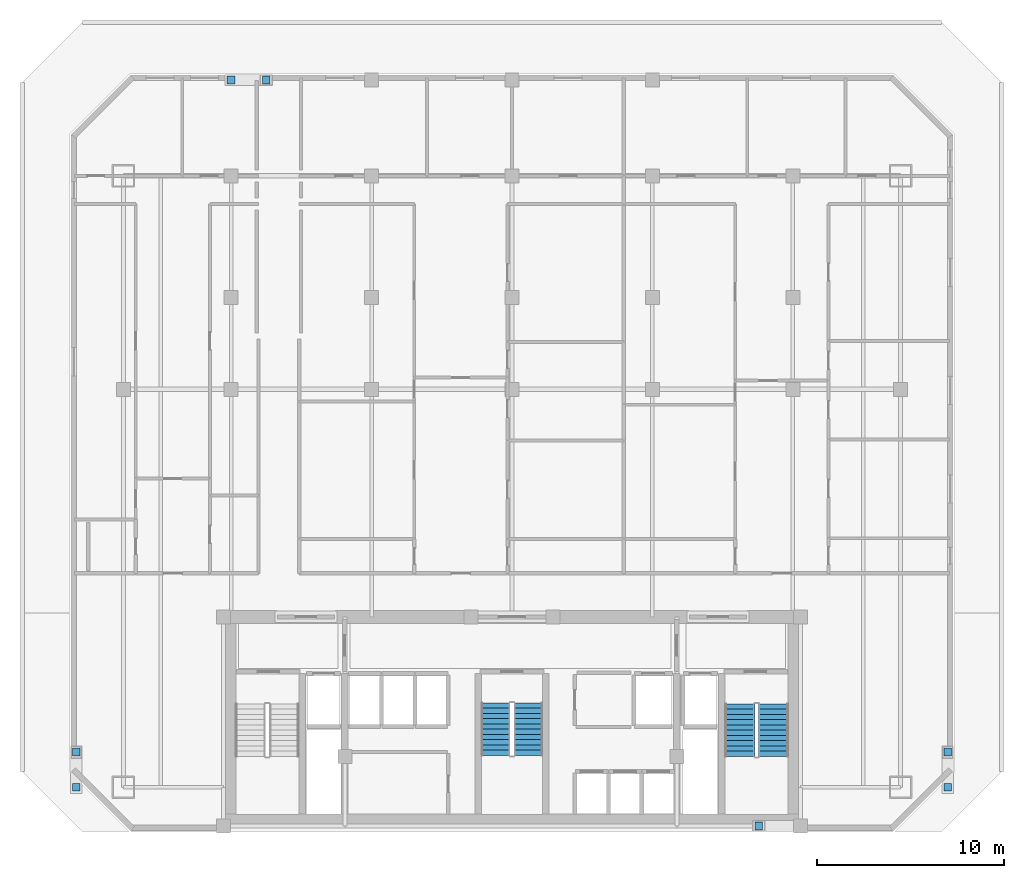
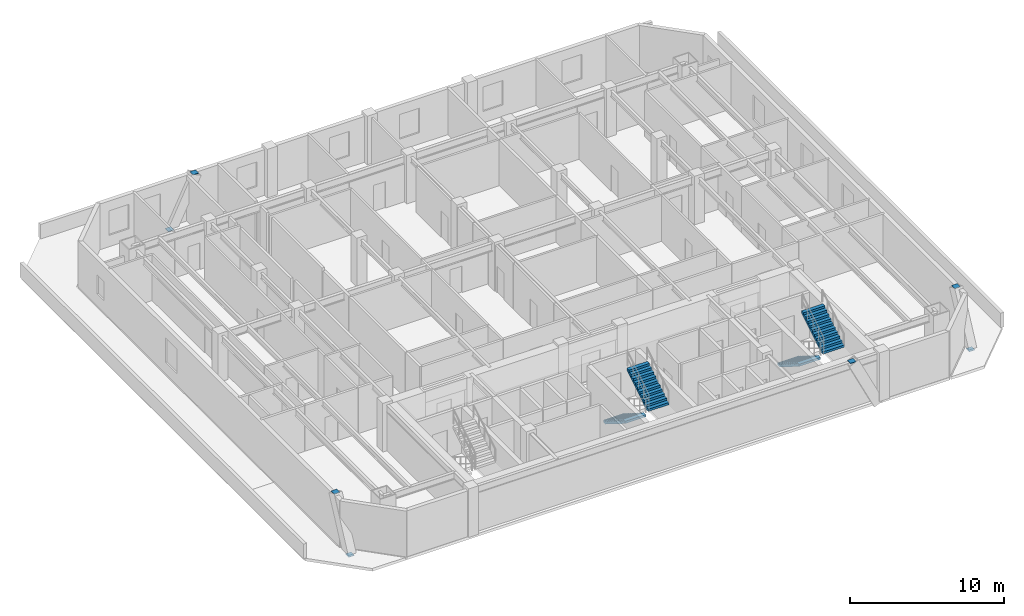
# One storey, part 7 of 8: 7 discrete accessories, 4 stair flights, 2 elements without a shape of their own.
"""IFC4 building model written with IfcOpenShell, lengths in metres."""

from ifc_helpers import new_model, si_unit, direction, frame, origin, origin_2d, place, context, subcontext, project, spatial, polyline, rectangle, outline, extrude, material, type_object, element, aggregate, save


model = new_model("IFC4")

# Units and contexts
model_context = context("Model", 3, precision=1e-05, world=origin(), true_north=direction((0.0, 1.0)))
body_context = subcontext(model_context, "Body", "Model", "MODEL_VIEW")
ifc_project = project(units=[si_unit("LENGTHUNIT", "METRE"), si_unit("AREAUNIT", "SQUARE_METRE"), si_unit("VOLUMEUNIT", "CUBIC_METRE"), si_unit("PLANEANGLEUNIT", "RADIAN"), si_unit("MASSUNIT", "GRAM", prefix="KILO")], contexts=[model_context])

# Site, building, storey
site_placement = place(None, origin())
site = spatial("IfcSite", under=ifc_project, at=site_placement, CompositionType="ELEMENT")
building_placement = place(site_placement, origin())
building = spatial("IfcBuilding", under=site, at=building_placement, Name="Ventersveld Concourse Tower", CompositionType="ELEMENT")
storey_placement = place(building_placement, frame((0.0, 0.0, 156.75)))
storey = spatial("IfcBuildingStorey", under=building, at=storey_placement, Name="L38", CompositionType="ELEMENT", Elevation=156.75)

# Stair, stair flights
ifc_material_1 = material(Name="Concrete C50/60", Category="concrete")
stair_type_1 = type_object("IfcStairType", Name="ST-DOG-155", PredefinedType="HALF_TURN_STAIR", material=ifc_material_1)
stair_1_placement = place(storey_placement, origin())
stair_1 = element("IfcStair", 1, at=stair_1_placement, inside=storey, type_object=stair_type_1, Name="L38 Protected Central Core Escape Stair ST-03", PredefinedType="HALF_TURN_STAIR")
stair_flight_type_1 = type_object("IfcStairFlightType", Name="STF-RC-155", PredefinedType="STRAIGHT", material=ifc_material_1)
stair_flight_1_placement = place(storey_placement, frame((27.875, 6.85009765625, 0.0), z_axis=(0.0, 0.0, 1.0), x_axis=(0.0, -1.0, 0.0)))
stair_flight_1 = element("IfcStairFlight", 2, at=stair_flight_1_placement, type_object=stair_flight_type_1, Name="ST-03 flight 1", NumberOfRisers=11, NumberOfTreads=10, PredefinedType="STRAIGHT", RiserHeight=0.175, TreadLength=0.28, context=body_context, shape_type="SweptSolid", body=[
    extrude(outline(polyline([(0.0, 0.0), (0.0, 0.175048828125), (0.280029296875, 0.175048828125), (0.280029296875, 0.35009765625), (0.56005859375, 0.35009765625), (0.56005859375, 0.52490234375), (0.840087890625, 0.52490234375), (0.840087890625, 0.699951171875), (1.1201171875, 0.699951171875), (1.1201171875, 0.875), (1.39990234375, 0.875), (1.39990234375, 1.050048828125), (1.679931640625, 1.050048828125), (1.679931640625, 1.22509765625), (1.9599609375, 1.22509765625), (1.9599609375, 1.39990234375), (2.239990234375, 1.39990234375), (2.239990234375, 1.574951171875), (2.52001953125, 1.574951171875), (2.52001953125, 1.75), (2.800048828125, 1.75), (2.800048828125, 1.925048828125), (2.800048828125, 1.5732421875), (0.28271484375, 0.0), (0.0, 0.0)])), frame((0.0, 0.77490234375, 0.0), z_axis=(0.0, -1.0, 0.0), x_axis=(1.0, 0.0, 0.0)), (0.0, 0.0, 1.0), 1.550048828125),
])
stair_flight_2_placement = place(storey_placement, frame((29.625, 4.050048828125, 1.925048828125), z_axis=(0.0, 0.0, 1.0), x_axis=(0.0, 1.0, 0.0)))
stair_flight_2 = element("IfcStairFlight", 3, at=stair_flight_2_placement, type_object=stair_flight_type_1, Name="ST-03 flight 2", NumberOfRisers=11, NumberOfTreads=10, PredefinedType="STRAIGHT", RiserHeight=0.175, TreadLength=0.28, context=body_context, shape_type="SweptSolid", body=[
    extrude(outline(polyline([(0.0, 0.0), (0.0, 0.175048828125), (0.280029296875, 0.175048828125), (0.280029296875, 0.35009765625), (0.56005859375, 0.35009765625), (0.56005859375, 0.52490234375), (0.840087890625, 0.52490234375), (0.840087890625, 0.699951171875), (1.1201171875, 0.699951171875), (1.1201171875, 0.875), (1.39990234375, 0.875), (1.39990234375, 1.050048828125), (1.679931640625, 1.050048828125), (1.679931640625, 1.22509765625), (1.9599609375, 1.22509765625), (1.9599609375, 1.39990234375), (2.239990234375, 1.39990234375), (2.239990234375, 1.574951171875), (2.52001953125, 1.574951171875), (2.52001953125, 1.75), (2.800048828125, 1.75), (2.800048828125, 1.925048828125), (2.800048828125, 1.5732421875), (0.28271484375, 0.0), (0.0, 0.0)])), frame((0.0, 0.77490234375, 0.0), z_axis=(0.0, -1.0, 0.0), x_axis=(1.0, 0.0, 0.0)), (0.0, 0.0, 1.0), 1.550048828125),
])
aggregate(stair_1, [stair_flight_1, stair_flight_2])

stair_type_2 = type_object("IfcStairType", Name="ST-DOG-160", PredefinedType="HALF_TURN_STAIR", material=ifc_material_1)
stair_2_placement = place(storey_placement, origin())
stair_2 = element("IfcStair", 4, at=stair_2_placement, inside=storey, type_object=stair_type_2, Name="L38 Protected Tower Escape Stair ST-02", PredefinedType="HALF_TURN_STAIR")
stair_flight_type_2 = type_object("IfcStairFlightType", Name="STF-RC-160", PredefinedType="STRAIGHT", material=ifc_material_1)
stair_flight_3_placement = place(storey_placement, frame((40.919921875, 6.800048828125, 0.0), z_axis=(0.0, 0.0, 1.0), x_axis=(0.0, -1.0, 0.0)))
stair_flight_3 = element("IfcStairFlight", 5, at=stair_flight_3_placement, type_object=stair_flight_type_2, Name="ST-02 flight 1", NumberOfRisers=11, NumberOfTreads=10, PredefinedType="STRAIGHT", RiserHeight=0.175, TreadLength=0.28, context=body_context, shape_type="SweptSolid", body=[
    extrude(outline(polyline([(0.0, 0.0), (0.0, 0.175048828125), (0.280029296875, 0.175048828125), (0.280029296875, 0.35009765625), (0.56005859375, 0.35009765625), (0.56005859375, 0.52490234375), (0.840087890625, 0.52490234375), (0.840087890625, 0.699951171875), (1.1201171875, 0.699951171875), (1.1201171875, 0.875), (1.39990234375, 0.875), (1.39990234375, 1.050048828125), (1.679931640625, 1.050048828125), (1.679931640625, 1.22509765625), (1.9599609375, 1.22509765625), (1.9599609375, 1.39990234375), (2.239990234375, 1.39990234375), (2.239990234375, 1.574951171875), (2.52001953125, 1.574951171875), (2.52001953125, 1.75), (2.800048828125, 1.75), (2.800048828125, 1.925048828125), (2.800048828125, 1.5732421875), (0.28271484375, 0.0), (0.0, 0.0)])), frame((0.0, 0.800048828125, 0.0), z_axis=(0.0, -1.0, 0.0), x_axis=(1.0, 0.0, 0.0)), (0.0, 0.0, 1.0), 1.60009765625),
])
stair_flight_4_placement = place(storey_placement, frame((42.719970703125, 4.0, 1.925048828125), z_axis=(0.0, 0.0, 1.0), x_axis=(0.0, 1.0, 0.0)))
stair_flight_4 = element("IfcStairFlight", 6, at=stair_flight_4_placement, type_object=stair_flight_type_2, Name="ST-02 flight 2", NumberOfRisers=11, NumberOfTreads=10, PredefinedType="STRAIGHT", RiserHeight=0.175, TreadLength=0.28, context=body_context, shape_type="SweptSolid", body=[
    extrude(outline(polyline([(0.0, 0.0), (0.0, 0.175048828125), (0.280029296875, 0.175048828125), (0.280029296875, 0.35009765625), (0.56005859375, 0.35009765625), (0.56005859375, 0.52490234375), (0.840087890625, 0.52490234375), (0.840087890625, 0.699951171875), (1.1201171875, 0.699951171875), (1.1201171875, 0.875), (1.39990234375, 0.875), (1.39990234375, 1.050048828125), (1.679931640625, 1.050048828125), (1.679931640625, 1.22509765625), (1.9599609375, 1.22509765625), (1.9599609375, 1.39990234375), (2.239990234375, 1.39990234375), (2.239990234375, 1.574951171875), (2.52001953125, 1.574951171875), (2.52001953125, 1.75), (2.800048828125, 1.75), (2.800048828125, 1.925048828125), (2.800048828125, 1.5732421875), (0.28271484375, 0.0), (0.0, 0.0)])), frame((0.0, 0.800048828125, 0.0), z_axis=(0.0, -1.0, 0.0), x_axis=(1.0, 0.0, 0.0)), (0.0, 0.0, 1.0), 1.60009765625),
])
aggregate(stair_2, [stair_flight_3, stair_flight_4])

# Discrete accessories
ifc_material_2 = material(Name="Structural steel S355J2", Category="steel")
discrete_accessory_type = type_object("IfcDiscreteAccessoryType", Name="CONN-BRACE-ECP1", PredefinedType="BRACKET", material=ifc_material_2)
for number, where, z_axis, x_axis, name in (
    (7, (13.75, 40.1201171875, -0.239990234375), (0.0, 0.0, 1.0), (1.0, 0.0, 0.0), "L38 Steel Brace End Connection Plate ECP1-0332"),
    (8, (15.625, 40.1201171875, 3.60986328125), (0.0, 0.0, 1.0), (1.0, 0.0, 0.0), "L38 Steel Brace End Connection Plate ECP1-0333"),
    (9, (41.925048828125, 0.280029296875, 3.60986328125), (0.0, 0.0, 1.0), (1.0, 0.0, 0.0), "L38 Steel Brace End Connection Plate ECP1-0337"),
    (10, (5.47998046875, 2.35009765625, -0.239990234375), (0.0, 0.0, 1.0), (1.0, 0.0, 0.0), "L38 Steel Brace End Connection Plate ECP1-0341"),
    (11, (5.47998046875, 4.22509765625, 3.60986328125), (0.0, 0.0, 1.0), (1.0, 0.0, 0.0), "L38 Steel Brace End Connection Plate ECP1-0342"),
    (12, (52.02001953125, 2.35009765625, -0.239990234375), (0.0, 0.0, 1.0), (1.0, 0.0, 0.0), "L38 Steel Brace End Connection Plate ECP1-0346"),
    (13, (52.02001953125, 4.22509765625, 3.60986328125), (0.0, 0.0, 1.0), (1.0, 0.0, 0.0), "L38 Steel Brace End Connection Plate ECP1-0347"),
):
    element("IfcDiscreteAccessory", number, at=place(storey_placement, frame(where, z_axis=z_axis, x_axis=x_axis)), inside=storey, type_object=discrete_accessory_type, Name=name, PredefinedType="BRACKET", context=body_context, shape_type="SweptSolid", body=[
        extrude(rectangle(XDim=0.419921875, YDim=0.419921875, at=origin_2d()), origin(), (0.0, 0.0, 1.0), 0.0400390625),
    ])

save(model, "model.ifc")
